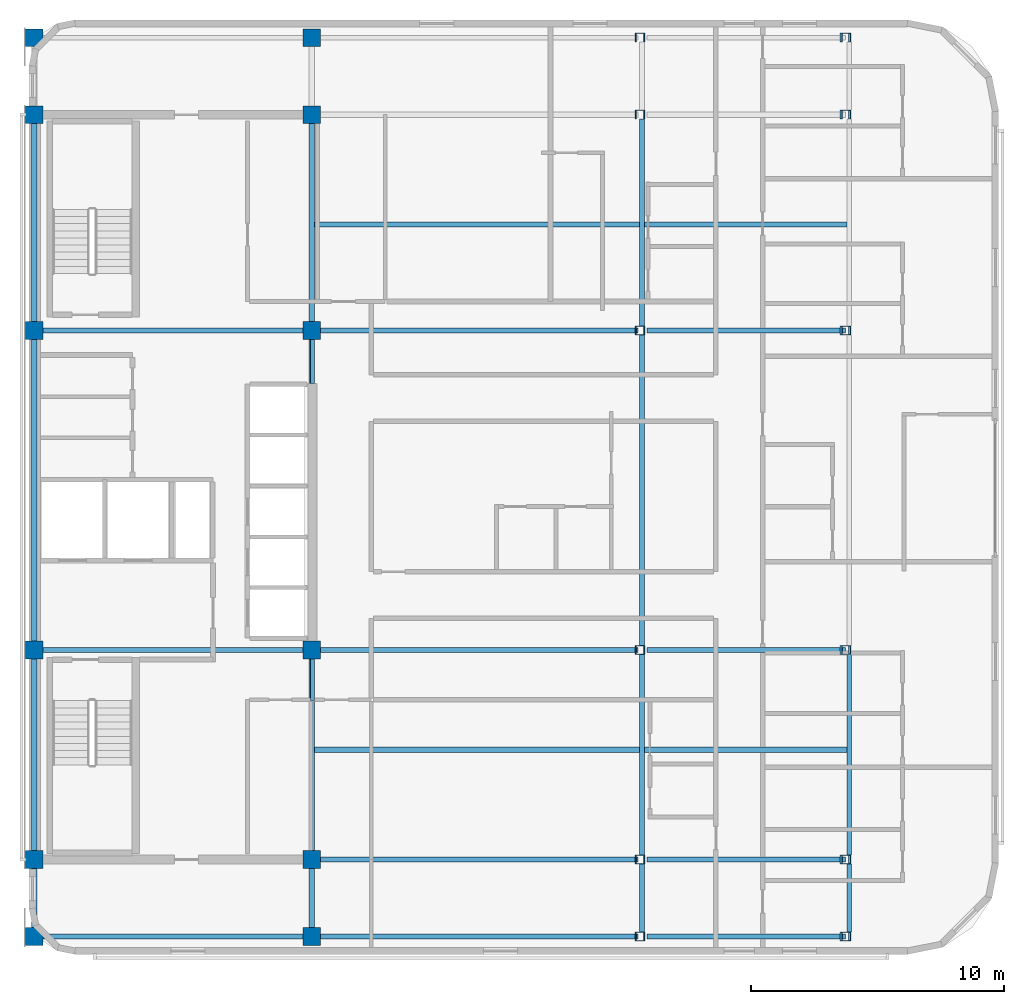
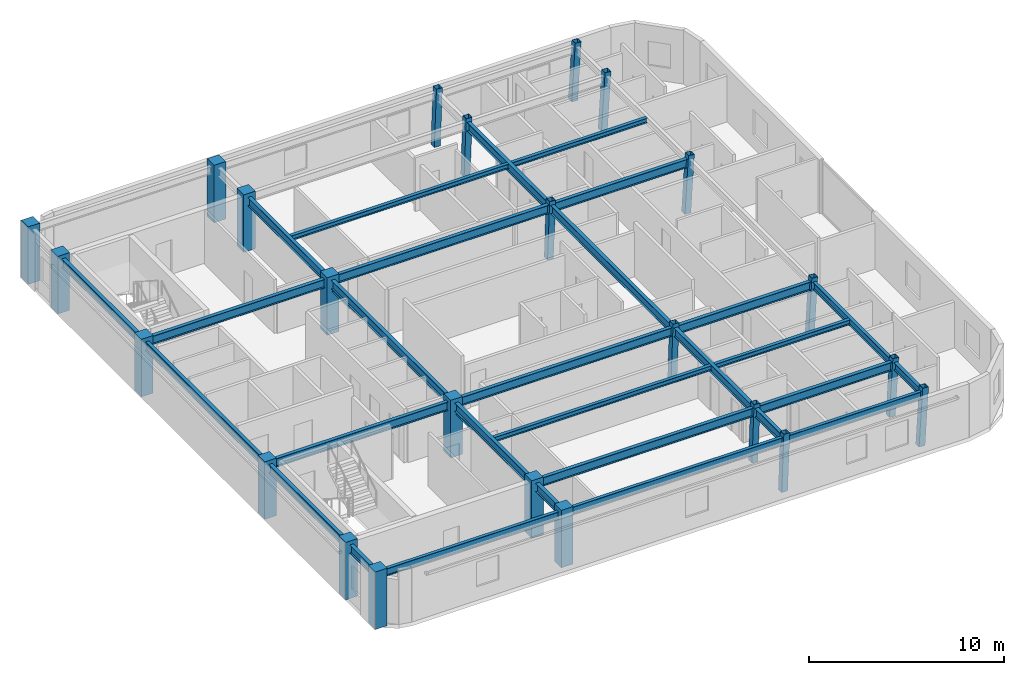
# One storey, part 1 of 10: 31 beams, 24 columns.
"""IFC4 building model written with IfcOpenShell, lengths in metres."""

from ifc_helpers import new_model, si_unit, direction, frame, origin, origin_2d, place, context, subcontext, project, spatial, rectangle, hollow_rectangle, i_section, extrude, material, material_profile, profile_set, type_object, element, save


model = new_model("IFC4")

# Units and contexts
model_context = context("Model", 3, precision=1e-05, world=origin(), true_north=direction((0.0, 1.0)))
body_context = subcontext(model_context, "Body", "Model", "MODEL_VIEW")
ifc_project = project(units=[si_unit("LENGTHUNIT", "METRE"), si_unit("AREAUNIT", "SQUARE_METRE"), si_unit("VOLUMEUNIT", "CUBIC_METRE"), si_unit("PLANEANGLEUNIT", "RADIAN"), si_unit("MASSUNIT", "GRAM", prefix="KILO")], contexts=[model_context])

# Site, building, storey
site_placement = place(None, origin())
site = spatial("IfcSite", under=ifc_project, at=site_placement, CompositionType="ELEMENT")
building_placement = place(site_placement, origin())
building = spatial("IfcBuilding", under=site, at=building_placement, Name="Ochreholt Gables", CompositionType="ELEMENT")
storey_placement = place(building_placement, frame((0.0, 0.0, 235.199951171875)))
storey = spatial("IfcBuildingStorey", under=building, at=storey_placement, Name="L61", CompositionType="ELEMENT", Elevation=235.199951171875)

# Columns
ifc_material_1 = material(Name="Steel CSA G40.21 350W", Category="steel")
ifc_material_profile_1 = material_profile(ifc_material_1, hollow_rectangle(XDim=0.35595703125, YDim=0.35595703125, WallThickness=0.01611328125, at=origin_2d()), Name="HSS356X356X16")
ifc_profile_set_1 = profile_set([ifc_material_profile_1], Name="Steel CSA G40.21 350W")
column_type_1 = type_object("IfcColumnType", Name="COL-HSS356-RAK", PredefinedType="COLUMN", material=ifc_profile_set_1)
for number, where, z_axis, x_axis, name in (
    (1, (48.16796875, 9.25, 0.0), (0.034971136209, 0.0, 0.999388322742), (0.0, 1.0, 0.0), "L61 Column EMY2"),
    (2, (48.16796875, 17.550048828125, 0.0), (0.034971136209, 0.0, 0.999388322742), (0.0, 1.0, 0.0), "L61 Column EMY3"),
    (3, (48.16796875, 30.199951171875, 0.0), (0.034971136209, 0.0, 0.999388322742), (0.0, 1.0, 0.0), "L61 Column EMY4"),
    (4, (48.16796875, 38.75, 0.0), (0.034971136209, 0.0, 0.999388322742), (0.0, 1.0, 0.0), "L61 Column EMY5"),
):
    element("IfcColumn", number, at=place(storey_placement, frame(where, z_axis=z_axis, x_axis=x_axis)), inside=storey, type_object=column_type_1, Name=name, PredefinedType="COLUMN", context=body_context, shape_type="SweptSolid", body=[
        extrude(hollow_rectangle(XDim=0.35595703125, YDim=0.35595703125, WallThickness=0.01611328125, at=origin_2d()), origin(), (0.0, 0.0, 1.0), 3.602294921875),
    ])
ifc_material_profile_2 = material_profile(ifc_material_1, hollow_rectangle(XDim=0.35595703125, YDim=0.35595703125, WallThickness=0.01611328125, at=origin_2d()), Name="HSS356X356X16")
ifc_profile_set_2 = profile_set([ifc_material_profile_2], Name="Steel CSA G40.21 350W")
column_type_2 = type_object("IfcColumnType", Name="COL-HSS356-RAKE", PredefinedType="COLUMN", material=ifc_profile_set_2)
for number, where, z_axis, x_axis, name in (
    (5, (48.16796875, 6.199951171875, 0.0), (0.034971136209, 0.0, 0.999388322742), (0.0, 1.0, 0.0), "L61 Column EMY1"),
    (6, (48.16796875, 41.800048828125, 0.0), (0.034971136209, 0.0, 0.999388322742), (0.0, 1.0, 0.0), "L61 Column EMY6"),
):
    element("IfcColumn", number, at=place(storey_placement, frame(where, z_axis=z_axis, x_axis=x_axis)), inside=storey, type_object=column_type_2, Name=name, PredefinedType="COLUMN", context=body_context, shape_type="SweptSolid", body=[
        extrude(hollow_rectangle(XDim=0.35595703125, YDim=0.35595703125, WallThickness=0.01611328125, at=origin_2d()), origin(), (0.0, 0.0, 1.0), 3.602294921875),
    ])
for number, where, z_axis, x_axis, name in (
    (7, (56.29833984375, 6.199951171875, 0.0), (0.057884606321, 0.0, 0.998323280481), (0.0, 1.0, 0.0), "L61 Column EEY1"),
    (8, (56.29833984375, 9.25, 0.0), (0.057884606321, 0.0, 0.998323280481), (0.0, 1.0, 0.0), "L61 Column EEY2"),
    (9, (56.29833984375, 17.550048828125, 0.0), (0.057884606321, 0.0, 0.998323280481), (0.0, 1.0, 0.0), "L61 Column EEY3"),
    (10, (56.29833984375, 30.199951171875, 0.0), (0.057884606321, 0.0, 0.998323280481), (0.0, 1.0, 0.0), "L61 Column EEY4"),
    (11, (56.29833984375, 38.75, 0.0), (0.057884606321, 0.0, 0.998323280481), (0.0, 1.0, 0.0), "L61 Column EEY5"),
    (12, (56.29833984375, 41.800048828125, 0.0), (0.057884606321, 0.0, 0.998323280481), (0.0, 1.0, 0.0), "L61 Column EEY6"),
):
    element("IfcColumn", number, at=place(storey_placement, frame(where, z_axis=z_axis, x_axis=x_axis)), inside=storey, type_object=column_type_2, Name=name, PredefinedType="COLUMN", context=body_context, shape_type="SweptSolid", body=[
        extrude(hollow_rectangle(XDim=0.35595703125, YDim=0.35595703125, WallThickness=0.01611328125, at=origin_2d()), origin(), (0.0, 0.0, 1.0), 3.606201171875),
    ])
ifc_material_2 = material(Name="Concrete 50 MPa", Category="concrete")
ifc_material_profile_3 = material_profile(ifc_material_2, rectangle(XDim=0.699951171875, YDim=0.699951171875, at=origin_2d()), Name="RC700X700")
ifc_profile_set_3 = profile_set([ifc_material_profile_3], Name="Concrete 50 MPa")
column_type_3 = type_object("IfcColumnType", Name="COL-RC700-EXT", PredefinedType="COLUMN", material=ifc_profile_set_3)
for number, where, z_axis, x_axis, name in (
    (13, (24.199951171875, 6.199951171875, 0.0), (0.0, 0.0, 1.0), (1.0, 0.0, 0.0), "L61 Column C1Y1"),
    (14, (24.199951171875, 9.25, 0.0), (0.0, 0.0, 1.0), (1.0, 0.0, 0.0), "L61 Column C1Y2"),
    (15, (24.199951171875, 17.550048828125, 0.0), (0.0, 0.0, 1.0), (1.0, 0.0, 0.0), "L61 Column C1Y3"),
    (16, (24.199951171875, 30.199951171875, 0.0), (0.0, 0.0, 1.0), (1.0, 0.0, 0.0), "L61 Column C1Y4"),
    (17, (24.199951171875, 38.75, 0.0), (0.0, 0.0, 1.0), (1.0, 0.0, 0.0), "L61 Column C1Y5"),
    (18, (24.199951171875, 41.800048828125, 0.0), (0.0, 0.0, 1.0), (1.0, 0.0, 0.0), "L61 Column C1Y6"),
    (19, (35.199951171875, 6.199951171875, 0.0), (0.0, 0.0, 1.0), (1.0, 0.0, 0.0), "L61 Column C2Y1"),
    (20, (35.199951171875, 41.800048828125, 0.0), (0.0, 0.0, 1.0), (1.0, 0.0, 0.0), "L61 Column C2Y6"),
):
    element("IfcColumn", number, at=place(storey_placement, frame(where, z_axis=z_axis, x_axis=x_axis)), inside=storey, type_object=column_type_3, Name=name, PredefinedType="COLUMN", context=body_context, shape_type="SweptSolid", body=[
        extrude(rectangle(XDim=0.699951171875, YDim=0.699951171875, at=origin_2d()), origin(), (0.0, 0.0, 1.0), 3.60009765625),
    ])
ifc_material_profile_4 = material_profile(ifc_material_2, rectangle(XDim=0.699951171875, YDim=0.699951171875, at=origin_2d()), Name="RC700X700")
ifc_profile_set_4 = profile_set([ifc_material_profile_4], Name="Concrete 50 MPa")
column_type_4 = type_object("IfcColumnType", Name="COL-RC700-INT", PredefinedType="COLUMN", material=ifc_profile_set_4)
for number, where, z_axis, x_axis, name in (
    (21, (35.199951171875, 9.25, 0.0), (0.0, 0.0, 1.0), (1.0, 0.0, 0.0), "L61 Column C2Y2"),
    (22, (35.199951171875, 17.550048828125, 0.0), (0.0, 0.0, 1.0), (1.0, 0.0, 0.0), "L61 Column C2Y3"),
    (23, (35.199951171875, 30.199951171875, 0.0), (0.0, 0.0, 1.0), (1.0, 0.0, 0.0), "L61 Column C2Y4"),
    (24, (35.199951171875, 38.75, 0.0), (0.0, 0.0, 1.0), (1.0, 0.0, 0.0), "L61 Column C2Y5"),
):
    element("IfcColumn", number, at=place(storey_placement, frame(where, z_axis=z_axis, x_axis=x_axis)), inside=storey, type_object=column_type_4, Name=name, PredefinedType="COLUMN", context=body_context, shape_type="SweptSolid", body=[
        extrude(rectangle(XDim=0.699951171875, YDim=0.699951171875, at=origin_2d()), origin(), (0.0, 0.0, 1.0), 3.60009765625),
    ])

# Beams
ifc_material_profile_5 = material_profile(ifc_material_1, i_section(OverallWidth=0.2109375, OverallDepth=0.5390625, WebThickness=0.01171875, FlangeThickness=0.018798828125, at=origin_2d()), Name="W530X109")
ifc_profile_set_5 = profile_set([ifc_material_profile_5], Name="Steel CSA G40.21 350W")
beam_type_1 = type_object("IfcBeamType", Name="BM-G-W530A", PredefinedType="BEAM", material=ifc_profile_set_5)
beam_1_placement = place(storey_placement, frame((35.549560546875, 9.25, 3.090576171875), z_axis=(1.0, 0.0, 0.0), x_axis=(0.0, 1.0, 0.0)))
element("IfcBeam", 25, at=beam_1_placement, inside=storey, type_object=beam_type_1, Name="L61 Beam TBG-L61-C2EM-Y2", PredefinedType="BEAM", context=body_context, shape_type="SweptSolid", body=[
    extrude(i_section(OverallWidth=0.2109375, OverallDepth=0.5390625, WebThickness=0.01171875, FlangeThickness=0.018798828125, at=origin_2d()), origin(), (0.0, 0.0, 1.0), 12.56689453125),
])
beam_2_placement = place(storey_placement, frame((48.4716796875, 9.25, 3.090576171875), z_axis=(1.0, 0.0, 0.0), x_axis=(0.0, 1.0, 0.0)))
element("IfcBeam", 26, at=beam_2_placement, inside=storey, type_object=beam_type_1, Name="L61 Beam TBG-L61-EMEE-Y2", PredefinedType="BEAM", context=body_context, shape_type="SweptSolid", body=[
    extrude(i_section(OverallWidth=0.2109375, OverallDepth=0.5390625, WebThickness=0.01171875, FlangeThickness=0.018798828125, at=origin_2d()), origin(), (0.0, 0.0, 1.0), 7.85791015625),
])
beam_3_placement = place(storey_placement, frame((24.549560546875, 17.550048828125, 3.090576171875), z_axis=(1.0, 0.0, 0.0), x_axis=(0.0, 1.0, 0.0)))
element("IfcBeam", 27, at=beam_3_placement, inside=storey, type_object=beam_type_1, Name="L61 Beam TBG-L61-C1C2-Y3", PredefinedType="BEAM", context=body_context, shape_type="SweptSolid", body=[
    extrude(i_section(OverallWidth=0.2109375, OverallDepth=0.5390625, WebThickness=0.01171875, FlangeThickness=0.018798828125, at=origin_2d()), origin(), (0.0, 0.0, 1.0), 10.30078125),
])
beam_4_placement = place(storey_placement, frame((35.549560546875, 17.550048828125, 3.090576171875), z_axis=(1.0, 0.0, 0.0), x_axis=(0.0, 1.0, 0.0)))
element("IfcBeam", 28, at=beam_4_placement, inside=storey, type_object=beam_type_1, Name="L61 Beam TBG-L61-C2EM-Y3", PredefinedType="BEAM", context=body_context, shape_type="SweptSolid", body=[
    extrude(i_section(OverallWidth=0.2109375, OverallDepth=0.5390625, WebThickness=0.01171875, FlangeThickness=0.018798828125, at=origin_2d()), origin(), (0.0, 0.0, 1.0), 12.56689453125),
])
beam_5_placement = place(storey_placement, frame((48.4716796875, 17.550048828125, 3.090576171875), z_axis=(1.0, 0.0, 0.0), x_axis=(0.0, 1.0, 0.0)))
element("IfcBeam", 29, at=beam_5_placement, inside=storey, type_object=beam_type_1, Name="L61 Beam TBG-L61-EMEE-Y3", PredefinedType="BEAM", context=body_context, shape_type="SweptSolid", body=[
    extrude(i_section(OverallWidth=0.2109375, OverallDepth=0.5390625, WebThickness=0.01171875, FlangeThickness=0.018798828125, at=origin_2d()), origin(), (0.0, 0.0, 1.0), 7.85791015625),
])
beam_6_placement = place(storey_placement, frame((24.549560546875, 30.199951171875, 3.090576171875), z_axis=(1.0, 0.0, 0.0), x_axis=(0.0, 1.0, 0.0)))
element("IfcBeam", 30, at=beam_6_placement, inside=storey, type_object=beam_type_1, Name="L61 Beam TBG-L61-C1C2-Y4", PredefinedType="BEAM", context=body_context, shape_type="SweptSolid", body=[
    extrude(i_section(OverallWidth=0.2109375, OverallDepth=0.5390625, WebThickness=0.01171875, FlangeThickness=0.018798828125, at=origin_2d()), origin(), (0.0, 0.0, 1.0), 10.30078125),
])
beam_7_placement = place(storey_placement, frame((35.549560546875, 30.199951171875, 3.090576171875), z_axis=(1.0, 0.0, 0.0), x_axis=(0.0, 1.0, 0.0)))
element("IfcBeam", 31, at=beam_7_placement, inside=storey, type_object=beam_type_1, Name="L61 Beam TBG-L61-C2EM-Y4", PredefinedType="BEAM", context=body_context, shape_type="SweptSolid", body=[
    extrude(i_section(OverallWidth=0.2109375, OverallDepth=0.5390625, WebThickness=0.01171875, FlangeThickness=0.018798828125, at=origin_2d()), origin(), (0.0, 0.0, 1.0), 12.56689453125),
])
beam_8_placement = place(storey_placement, frame((48.4716796875, 30.199951171875, 3.090576171875), z_axis=(1.0, 0.0, 0.0), x_axis=(0.0, 1.0, 0.0)))
element("IfcBeam", 32, at=beam_8_placement, inside=storey, type_object=beam_type_1, Name="L61 Beam TBG-L61-EMEE-Y4", PredefinedType="BEAM", context=body_context, shape_type="SweptSolid", body=[
    extrude(i_section(OverallWidth=0.2109375, OverallDepth=0.5390625, WebThickness=0.01171875, FlangeThickness=0.018798828125, at=origin_2d()), origin(), (0.0, 0.0, 1.0), 7.85791015625),
])
beam_9_placement = place(storey_placement, frame((24.199951171875, 6.549560546875, 3.090576171875), z_axis=(0.0, 1.0, 0.0), x_axis=(-1.0, 0.0, 0.0)))
element("IfcBeam", 33, at=beam_9_placement, inside=storey, type_object=beam_type_1, Name="L61 Beam TBN-L61-C1-Y1Y2", PredefinedType="BEAM", context=body_context, shape_type="SweptSolid", body=[
    extrude(i_section(OverallWidth=0.2109375, OverallDepth=0.5390625, WebThickness=0.01171875, FlangeThickness=0.018798828125, at=origin_2d()), origin(), (0.0, 0.0, 1.0), 2.350830078125),
])
beam_10_placement = place(storey_placement, frame((24.199951171875, 9.599609375, 3.090576171875), z_axis=(0.0, 1.0, 0.0), x_axis=(-1.0, 0.0, 0.0)))
element("IfcBeam", 34, at=beam_10_placement, inside=storey, type_object=beam_type_1, Name="L61 Beam TBN-L61-C1-Y2Y3", PredefinedType="BEAM", context=body_context, shape_type="SweptSolid", body=[
    extrude(i_section(OverallWidth=0.2109375, OverallDepth=0.5390625, WebThickness=0.01171875, FlangeThickness=0.018798828125, at=origin_2d()), origin(), (0.0, 0.0, 1.0), 7.600830078125),
])
beam_11_placement = place(storey_placement, frame((24.199951171875, 17.899658203125, 3.090576171875), z_axis=(0.0, 1.0, 0.0), x_axis=(-1.0, 0.0, 0.0)))
element("IfcBeam", 35, at=beam_11_placement, inside=storey, type_object=beam_type_1, Name="L61 Beam TBN-L61-C1-Y3Y4", PredefinedType="BEAM", context=body_context, shape_type="SweptSolid", body=[
    extrude(i_section(OverallWidth=0.2109375, OverallDepth=0.5390625, WebThickness=0.01171875, FlangeThickness=0.018798828125, at=origin_2d()), origin(), (0.0, 0.0, 1.0), 11.95068359375),
])
beam_12_placement = place(storey_placement, frame((24.199951171875, 30.549560546875, 3.090576171875), z_axis=(0.0, 1.0, 0.0), x_axis=(-1.0, 0.0, 0.0)))
element("IfcBeam", 36, at=beam_12_placement, inside=storey, type_object=beam_type_1, Name="L61 Beam TBN-L61-C1-Y4Y5", PredefinedType="BEAM", context=body_context, shape_type="SweptSolid", body=[
    extrude(i_section(OverallWidth=0.2109375, OverallDepth=0.5390625, WebThickness=0.01171875, FlangeThickness=0.018798828125, at=origin_2d()), origin(), (0.0, 0.0, 1.0), 7.850830078125),
])
beam_13_placement = place(storey_placement, frame((35.199951171875, 6.549560546875, 3.090576171875), z_axis=(0.0, 1.0, 0.0), x_axis=(-1.0, 0.0, 0.0)))
element("IfcBeam", 37, at=beam_13_placement, inside=storey, type_object=beam_type_1, Name="L61 Beam TBN-L61-C2-Y1Y2", PredefinedType="BEAM", context=body_context, shape_type="SweptSolid", body=[
    extrude(i_section(OverallWidth=0.2109375, OverallDepth=0.5390625, WebThickness=0.01171875, FlangeThickness=0.018798828125, at=origin_2d()), origin(), (0.0, 0.0, 1.0), 2.350830078125),
])
beam_14_placement = place(storey_placement, frame((35.199951171875, 9.599609375, 3.090576171875), z_axis=(0.0, 1.0, 0.0), x_axis=(-1.0, 0.0, 0.0)))
element("IfcBeam", 38, at=beam_14_placement, inside=storey, type_object=beam_type_1, Name="L61 Beam TBN-L61-C2-Y2Y3", PredefinedType="BEAM", context=body_context, shape_type="SweptSolid", body=[
    extrude(i_section(OverallWidth=0.2109375, OverallDepth=0.5390625, WebThickness=0.01171875, FlangeThickness=0.018798828125, at=origin_2d()), origin(), (0.0, 0.0, 1.0), 7.600830078125),
])
beam_15_placement = place(storey_placement, frame((35.199951171875, 17.899658203125, 3.090576171875), z_axis=(0.0, 1.0, 0.0), x_axis=(-1.0, 0.0, 0.0)))
element("IfcBeam", 39, at=beam_15_placement, inside=storey, type_object=beam_type_1, Name="L61 Beam TBN-L61-C2-Y3Y4", PredefinedType="BEAM", context=body_context, shape_type="SweptSolid", body=[
    extrude(i_section(OverallWidth=0.2109375, OverallDepth=0.5390625, WebThickness=0.01171875, FlangeThickness=0.018798828125, at=origin_2d()), origin(), (0.0, 0.0, 1.0), 11.95068359375),
])
beam_16_placement = place(storey_placement, frame((35.199951171875, 30.549560546875, 3.090576171875), z_axis=(0.0, 1.0, 0.0), x_axis=(-1.0, 0.0, 0.0)))
element("IfcBeam", 40, at=beam_16_placement, inside=storey, type_object=beam_type_1, Name="L61 Beam TBN-L61-C2-Y4Y5", PredefinedType="BEAM", context=body_context, shape_type="SweptSolid", body=[
    extrude(i_section(OverallWidth=0.2109375, OverallDepth=0.5390625, WebThickness=0.01171875, FlangeThickness=0.018798828125, at=origin_2d()), origin(), (0.0, 0.0, 1.0), 7.850830078125),
])
beam_17_placement = place(storey_placement, frame((48.27685546875, 6.377685546875, 3.090576171875), z_axis=(0.0, 1.0, 0.0), x_axis=(-1.0, 0.0, 0.0)))
element("IfcBeam", 41, at=beam_17_placement, inside=storey, type_object=beam_type_1, Name="L61 Beam TBN-L61-EM-Y1Y2", PredefinedType="BEAM", context=body_context, shape_type="SweptSolid", body=[
    extrude(i_section(OverallWidth=0.2109375, OverallDepth=0.5390625, WebThickness=0.01171875, FlangeThickness=0.018798828125, at=origin_2d()), origin(), (0.0, 0.0, 1.0), 2.69482421875),
])
beam_18_placement = place(storey_placement, frame((48.27685546875, 9.427490234375, 3.090576171875), z_axis=(0.0, 1.0, 0.0), x_axis=(-1.0, 0.0, 0.0)))
element("IfcBeam", 42, at=beam_18_placement, inside=storey, type_object=beam_type_1, Name="L61 Beam TBN-L61-EM-Y2Y3", PredefinedType="BEAM", context=body_context, shape_type="SweptSolid", body=[
    extrude(i_section(OverallWidth=0.2109375, OverallDepth=0.5390625, WebThickness=0.01171875, FlangeThickness=0.018798828125, at=origin_2d()), origin(), (0.0, 0.0, 1.0), 7.94482421875),
])
beam_19_placement = place(storey_placement, frame((48.27685546875, 17.7275390625, 3.090576171875), z_axis=(0.0, 1.0, 0.0), x_axis=(-1.0, 0.0, 0.0)))
element("IfcBeam", 43, at=beam_19_placement, inside=storey, type_object=beam_type_1, Name="L61 Beam TBN-L61-EM-Y3Y4", PredefinedType="BEAM", context=body_context, shape_type="SweptSolid", body=[
    extrude(i_section(OverallWidth=0.2109375, OverallDepth=0.5390625, WebThickness=0.01171875, FlangeThickness=0.018798828125, at=origin_2d()), origin(), (0.0, 0.0, 1.0), 12.294921875),
])
beam_20_placement = place(storey_placement, frame((48.27685546875, 30.377685546875, 3.090576171875), z_axis=(0.0, 1.0, 0.0), x_axis=(-1.0, 0.0, 0.0)))
element("IfcBeam", 44, at=beam_20_placement, inside=storey, type_object=beam_type_1, Name="L61 Beam TBN-L61-EM-Y4Y5", PredefinedType="BEAM", context=body_context, shape_type="SweptSolid", body=[
    extrude(i_section(OverallWidth=0.2109375, OverallDepth=0.5390625, WebThickness=0.01171875, FlangeThickness=0.018798828125, at=origin_2d()), origin(), (0.0, 0.0, 1.0), 8.19482421875),
])
ifc_material_profile_6 = material_profile(ifc_material_1, i_section(OverallWidth=0.202880859375, OverallDepth=0.302978515625, WebThickness=0.007568359375, FlangeThickness=0.01318359375, at=origin_2d()), Name="W310X60")
ifc_profile_set_6 = profile_set([ifc_material_profile_6], Name="Steel CSA G40.21 350W")
beam_type_2 = type_object("IfcBeamType", Name="BM-J-W310", PredefinedType="JOIST", material=ifc_profile_set_6)
beam_21_placement = place(storey_placement, frame((35.30517578125, 13.60009765625, 3.20849609375), z_axis=(1.0, 0.0, 0.0), x_axis=(0.0, 1.0, 0.0)))
element("IfcBeam", 45, at=beam_21_placement, inside=storey, type_object=beam_type_2, Name="L61 Beam TBJ-L61-J1-C2EM", PredefinedType="JOIST", context=body_context, shape_type="SweptSolid", body=[
    extrude(i_section(OverallWidth=0.202880859375, OverallDepth=0.302978515625, WebThickness=0.007568359375, FlangeThickness=0.01318359375, at=origin_2d()), origin(), (0.0, 0.0, 1.0), 12.866455078125),
])
beam_22_placement = place(storey_placement, frame((48.3818359375, 13.60009765625, 3.20849609375), z_axis=(1.0, 0.0, 0.0), x_axis=(0.0, 1.0, 0.0)))
element("IfcBeam", 46, at=beam_22_placement, inside=storey, type_object=beam_type_2, Name="L61 Beam TBJ-L61-J1-EMEE", PredefinedType="JOIST", context=body_context, shape_type="SweptSolid", body=[
    extrude(i_section(OverallWidth=0.202880859375, OverallDepth=0.302978515625, WebThickness=0.007568359375, FlangeThickness=0.01318359375, at=origin_2d()), origin(), (0.0, 0.0, 1.0), 8.00146484375),
])
beam_23_placement = place(storey_placement, frame((35.30517578125, 34.39990234375, 3.20849609375), z_axis=(1.0, 0.0, 0.0), x_axis=(0.0, 1.0, 0.0)))
element("IfcBeam", 47, at=beam_23_placement, inside=storey, type_object=beam_type_2, Name="L61 Beam TBJ-L61-J2-C2EM", PredefinedType="JOIST", context=body_context, shape_type="SweptSolid", body=[
    extrude(i_section(OverallWidth=0.202880859375, OverallDepth=0.302978515625, WebThickness=0.007568359375, FlangeThickness=0.01318359375, at=origin_2d()), origin(), (0.0, 0.0, 1.0), 12.866455078125),
])
beam_24_placement = place(storey_placement, frame((48.3818359375, 34.39990234375, 3.20849609375), z_axis=(1.0, 0.0, 0.0), x_axis=(0.0, 1.0, 0.0)))
element("IfcBeam", 48, at=beam_24_placement, inside=storey, type_object=beam_type_2, Name="L61 Beam TBJ-L61-J2-EMEE", PredefinedType="JOIST", context=body_context, shape_type="SweptSolid", body=[
    extrude(i_section(OverallWidth=0.202880859375, OverallDepth=0.302978515625, WebThickness=0.007568359375, FlangeThickness=0.01318359375, at=origin_2d()), origin(), (0.0, 0.0, 1.0), 8.00146484375),
])
ifc_material_profile_7 = material_profile(ifc_material_1, i_section(OverallWidth=0.1650390625, OverallDepth=0.200927734375, WebThickness=0.006103515625, FlangeThickness=0.01025390625, at=origin_2d()), Name="W200X36")
ifc_profile_set_7 = profile_set([ifc_material_profile_7], Name="Steel CSA G40.21 350W")
beam_type_3 = type_object("IfcBeamType", Name="BM-LIN-W200", PredefinedType="LINTEL", material=ifc_profile_set_7)
beam_25_placement = place(storey_placement, frame((35.22509765625, 15.550048828125, 2.720458984375), z_axis=(0.0, 1.0, 0.0), x_axis=(-1.0, 0.0, 0.0)))
element("IfcBeam", 49, at=beam_25_placement, inside=storey, type_object=beam_type_3, Name="L61 Core Coupling Lintel CPS", PredefinedType="LINTEL", context=body_context, shape_type="SweptSolid", body=[
    extrude(i_section(OverallWidth=0.1650390625, OverallDepth=0.200927734375, WebThickness=0.006103515625, FlangeThickness=0.01025390625, at=origin_2d()), origin(), (0.0, 0.0, 1.0), 1.64990234375),
])
beam_26_placement = place(storey_placement, frame((35.22509765625, 28.10009765625, 2.720458984375), z_axis=(0.0, 1.0, 0.0), x_axis=(-1.0, 0.0, 0.0)))
element("IfcBeam", 50, at=beam_26_placement, inside=storey, type_object=beam_type_3, Name="L61 Core Coupling Lintel CPN", PredefinedType="LINTEL", context=body_context, shape_type="SweptSolid", body=[
    extrude(i_section(OverallWidth=0.1650390625, OverallDepth=0.200927734375, WebThickness=0.006103515625, FlangeThickness=0.01025390625, at=origin_2d()), origin(), (0.0, 0.0, 1.0), 1.75),
])
ifc_material_profile_8 = material_profile(ifc_material_1, i_section(OverallWidth=0.19189453125, OverallDepth=0.462890625, WebThickness=0.010498046875, FlangeThickness=0.017578125, at=origin_2d()), Name="W460X89")
ifc_profile_set_8 = profile_set([ifc_material_profile_8], Name="Steel CSA G40.21 350W")
beam_type_4 = type_object("IfcBeamType", Name="BM-SP-W460A", PredefinedType="SPANDREL", material=ifc_profile_set_8)
beam_27_placement = place(storey_placement, frame((24.549560546875, 6.199951171875, 3.128662109375), z_axis=(1.0, 0.0, 0.0), x_axis=(0.0, 1.0, 0.0)))
element("IfcBeam", 51, at=beam_27_placement, inside=storey, type_object=beam_type_4, Name="L61 Beam TBG-L61-C1C2-Y1", PredefinedType="SPANDREL", context=body_context, shape_type="SweptSolid", body=[
    extrude(i_section(OverallWidth=0.19189453125, OverallDepth=0.462890625, WebThickness=0.010498046875, FlangeThickness=0.017578125, at=origin_2d()), origin(), (0.0, 0.0, 1.0), 10.30078125),
])
beam_28_placement = place(storey_placement, frame((35.549560546875, 6.199951171875, 3.128662109375), z_axis=(1.0, 0.0, 0.0), x_axis=(0.0, 1.0, 0.0)))
element("IfcBeam", 52, at=beam_28_placement, inside=storey, type_object=beam_type_4, Name="L61 Beam TBG-L61-C2EM-Y1", PredefinedType="SPANDREL", context=body_context, shape_type="SweptSolid", body=[
    extrude(i_section(OverallWidth=0.19189453125, OverallDepth=0.462890625, WebThickness=0.010498046875, FlangeThickness=0.017578125, at=origin_2d()), origin(), (0.0, 0.0, 1.0), 12.56689453125),
])
beam_29_placement = place(storey_placement, frame((48.4716796875, 6.199951171875, 3.128662109375), z_axis=(1.0, 0.0, 0.0), x_axis=(0.0, 1.0, 0.0)))
element("IfcBeam", 53, at=beam_29_placement, inside=storey, type_object=beam_type_4, Name="L61 Beam TBG-L61-EMEE-Y1", PredefinedType="SPANDREL", context=body_context, shape_type="SweptSolid", body=[
    extrude(i_section(OverallWidth=0.19189453125, OverallDepth=0.462890625, WebThickness=0.010498046875, FlangeThickness=0.017578125, at=origin_2d()), origin(), (0.0, 0.0, 1.0), 7.85791015625),
])
beam_30_placement = place(storey_placement, frame((56.478759765625, 6.377685546875, 3.128662109375), z_axis=(0.0, 1.0, 0.0), x_axis=(-1.0, 0.0, 0.0)))
element("IfcBeam", 54, at=beam_30_placement, inside=storey, type_object=beam_type_4, Name="L61 Beam TBN-L61-EE-Y1Y2", PredefinedType="SPANDREL", context=body_context, shape_type="SweptSolid", body=[
    extrude(i_section(OverallWidth=0.19189453125, OverallDepth=0.462890625, WebThickness=0.010498046875, FlangeThickness=0.017578125, at=origin_2d()), origin(), (0.0, 0.0, 1.0), 2.69482421875),
])
beam_31_placement = place(storey_placement, frame((56.478759765625, 9.427490234375, 3.128662109375), z_axis=(0.0, 1.0, 0.0), x_axis=(-1.0, 0.0, 0.0)))
element("IfcBeam", 55, at=beam_31_placement, inside=storey, type_object=beam_type_4, Name="L61 Beam TBN-L61-EE-Y2Y3", PredefinedType="SPANDREL", context=body_context, shape_type="SweptSolid", body=[
    extrude(i_section(OverallWidth=0.19189453125, OverallDepth=0.462890625, WebThickness=0.010498046875, FlangeThickness=0.017578125, at=origin_2d()), origin(), (0.0, 0.0, 1.0), 7.94482421875),
])

save(model, "model.ifc")
